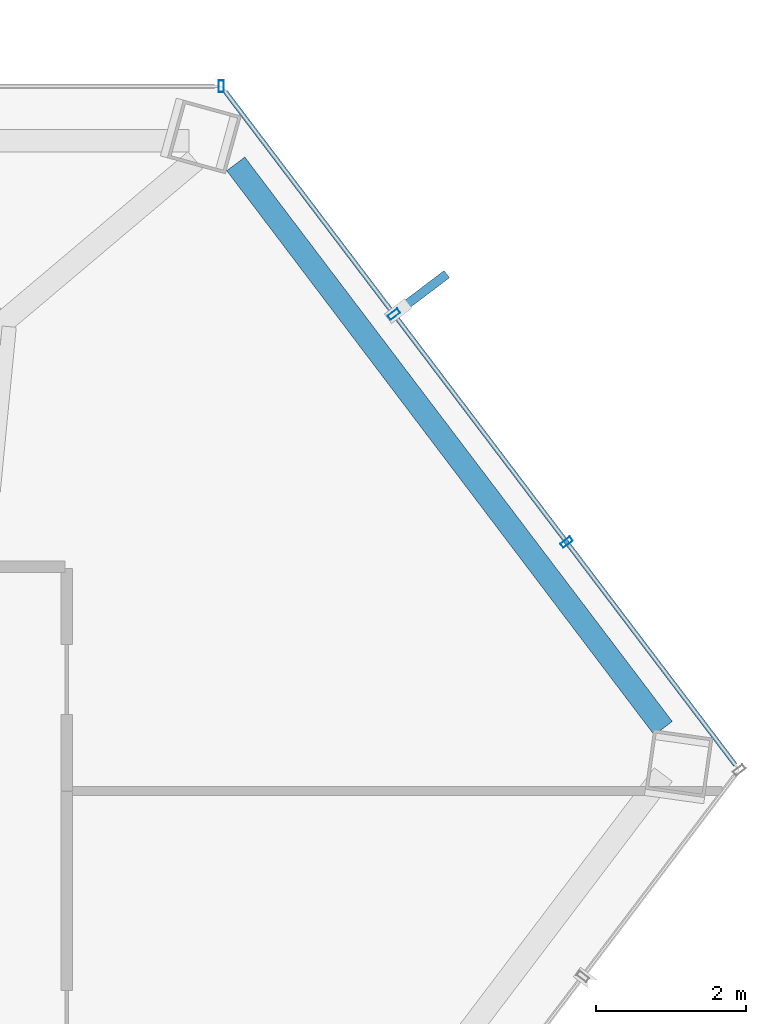
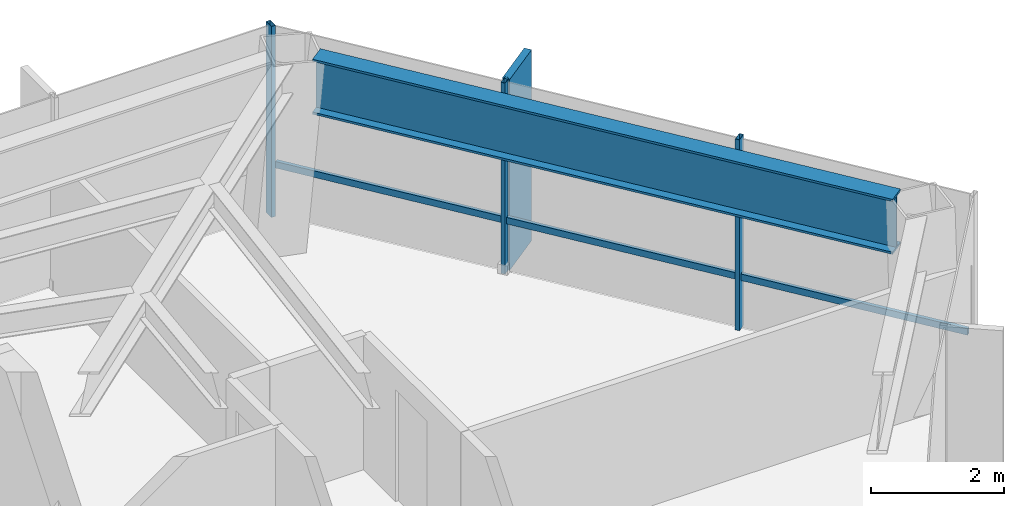
# One storey, part 25 of 30: 5 members, 1 beam, 2 elements without a shape of their own.
"""IFC4 building model written with IfcOpenShell, lengths in metres."""

from ifc_helpers import new_model, si_unit, direction, frame, origin, origin_2d, place, context, subcontext, project, spatial, rectangle, hollow_rectangle, i_section, extrude, material, layer, layer_set, material_profile, profile_set, type_object, element, aggregate, save


model = new_model("IFC4")

# Units and contexts
model_context = context("Model", 3, precision=1e-05, world=origin(), true_north=direction((0.0, 1.0)))
body_context = subcontext(model_context, "Body", "Model", "MODEL_VIEW")
ifc_project = project(units=[si_unit("LENGTHUNIT", "METRE"), si_unit("AREAUNIT", "SQUARE_METRE"), si_unit("VOLUMEUNIT", "CUBIC_METRE"), si_unit("PLANEANGLEUNIT", "RADIAN"), si_unit("MASSUNIT", "GRAM", prefix="KILO")], contexts=[model_context])

# Site, building, storey
site_placement = place(None, origin())
site = spatial("IfcSite", under=ifc_project, at=site_placement, CompositionType="ELEMENT")
building_placement = place(site_placement, origin())
building = spatial("IfcBuilding", under=site, at=building_placement, Name="Zarrinselat Tower", CompositionType="ELEMENT")
storey_placement = place(building_placement, frame((0.0, 0.0, 160.820068359375)))
storey = spatial("IfcBuildingStorey", under=building, at=storey_placement, Name="L39", CompositionType="ELEMENT", Elevation=160.820068359375)

# Beam
ifc_material_1 = material(Name="Steel S460M", Category="steel")
ifc_material_profile_1 = material_profile(ifc_material_1, i_section(OverallWidth=0.302001953125, OverallDepth=1.008056640625, WebThickness=0.02099609375, FlangeThickness=0.0400390625, at=origin_2d()), Name="HEM 1000")
ifc_profile_set_1 = profile_set([ifc_material_profile_1], Name="Steel S460M")
beam_type = type_object("IfcBeamType", Name="BM-HEM1000", PredefinedType="BEAM", material=ifc_profile_set_1)
beam_placement = place(storey_placement, frame((56.258056640625, 47.879638671875, 2.995849609375), z_axis=(0.603851722315, -0.797096667574, 0.0), x_axis=(0.797096667574, 0.603851722315, 0.0)))
element("IfcBeam", 1, at=beam_placement, inside=storey, type_object=beam_type, Name="L39 Perimeter Spandrel Girder SP15", PredefinedType="BEAM", context=body_context, shape_type="SweptSolid", body=[
    extrude(i_section(OverallWidth=0.302001953125, OverallDepth=1.008056640625, WebThickness=0.02099609375, FlangeThickness=0.0400390625, at=origin_2d()), origin(), (0.0, 0.0, 1.0), 9.455078125),
])

# Curtain wall, member
ifc_material_2 = material(Name="Extruded Aluminium Alloy EN AW-6063 T6", Category="aluminium")
ifc_layer = layer(ifc_material_2, 0.175048828125)
ifc_layer_set = layer_set([ifc_layer], Name="Extruded Aluminium Alloy EN AW-6063 T6")
curtain_wall_type = type_object("IfcCurtainWallType", Name="CWS-HTL", PredefinedType="NOTDEFINED", material=ifc_layer_set)
curtain_wall_1_placement = place(storey_placement, origin())
curtain_wall_1 = element("IfcCurtainWall", 2, at=curtain_wall_1_placement, inside=storey, type_object=curtain_wall_type, Name="L39 Unitised Curtain Wall CW-L39-E03", PredefinedType="NOTDEFINED")
ifc_material_3 = material(Name="Extruded Aluminium Alloy EN AW-6063 T6", Category="aluminium")
ifc_material_profile_2 = material_profile(ifc_material_3, hollow_rectangle(XDim=0.070068359375, YDim=0.159912109375, WallThickness=0.00390625, at=origin_2d()), Name="RHS 160x70x4")
ifc_profile_set_2 = profile_set([ifc_material_profile_2], Name="Extruded Aluminium Alloy EN AW-6063 T6")
member_type_1 = type_object("IfcMemberType", Name="MEM-CW-MUL2", PredefinedType="MULLION", material=ifc_profile_set_2)
member_1_placement = place(storey_placement, frame((56.065185546875, 48.916748046875, 0.0), z_axis=(0.0, 0.0, 1.0), x_axis=(1.0, 0.0, 0.0)))
member_1 = element("IfcMember", 3, at=member_1_placement, type_object=member_type_1, Name="CW-L39-E03 Mullion 10", PredefinedType="MULLION", context=body_context, shape_type="SweptSolid", body=[
    extrude(hollow_rectangle(XDim=0.070068359375, YDim=0.159912109375, WallThickness=0.00390625, at=origin_2d()), origin(), (0.0, 0.0, 1.0), 3.5),
])
aggregate(curtain_wall_1, [member_1])

# Curtain wall, members
curtain_wall_2_placement = place(storey_placement, origin())
curtain_wall_2 = element("IfcCurtainWall", 4, at=curtain_wall_2_placement, inside=storey, type_object=curtain_wall_type, Name="L39 Unitised Curtain Wall CW-L39-E04", PredefinedType="NOTDEFINED")
member_2_placement = place(storey_placement, frame((58.37109375, 45.873046875, 0.0), z_axis=(0.0, 0.0, 1.0), x_axis=(0.603856343425, -0.797093166766, 0.0)))
member_2 = element("IfcMember", 5, at=member_2_placement, type_object=member_type_1, Name="CW-L39-E04 Mullion 1", PredefinedType="MULLION", context=body_context, shape_type="SweptSolid", body=[
    extrude(hollow_rectangle(XDim=0.070068359375, YDim=0.159912109375, WallThickness=0.00390625, at=origin_2d()), origin(), (0.0, 0.0, 1.0), 3.5),
])
member_3_placement = place(storey_placement, frame((60.6767578125, 42.829345703125, 0.0), z_axis=(0.0, 0.0, 1.0), x_axis=(0.603856343425, -0.797093166766, 0.0)))
member_3 = element("IfcMember", 6, at=member_3_placement, type_object=member_type_1, Name="CW-L39-E04 Mullion 2", PredefinedType="MULLION", context=body_context, shape_type="SweptSolid", body=[
    extrude(hollow_rectangle(XDim=0.070068359375, YDim=0.159912109375, WallThickness=0.00390625, at=origin_2d()), origin(), (0.0, 0.0, 1.0), 3.5),
])
ifc_material_4 = material(Name="Extruded Aluminium Alloy EN AW-6063 T6", Category="aluminium")
ifc_material_profile_3 = material_profile(ifc_material_4, hollow_rectangle(XDim=0.06005859375, YDim=0.1201171875, WallThickness=0.00390625, at=origin_2d()), Name="RHS 120x60x4")
ifc_profile_set_3 = profile_set([ifc_material_profile_3], Name="Extruded Aluminium Alloy EN AW-6063 T6")
member_type_2 = type_object("IfcMemberType", Name="MEM-CW-TRN2", PredefinedType="USERDEFINED", material=ifc_profile_set_3)
member_4_placement = place(storey_placement, frame((56.119384765625, 48.844970703125, 0.949951171875), z_axis=(0.603862690513, -0.797088358344, 0.0), x_axis=(0.797088358344, 0.603862690513, 0.0)))
member_4 = element("IfcMember", 7, at=member_4_placement, type_object=member_type_2, Name="CW-L39-E04 Transom 1", ObjectType="TRANSOM", PredefinedType="USERDEFINED", context=body_context, shape_type="SweptSolid", body=[
    extrude(hollow_rectangle(XDim=0.06005859375, YDim=0.1201171875, WallThickness=0.00390625, at=origin_2d()), origin(), (0.0, 0.0, 1.0), 11.275390625),
])
ifc_material_5 = material(Name="Honed Cream Travertine Stone", Category="masonry")
ifc_material_profile_4 = material_profile(ifc_material_5, rectangle(XDim=0.1201171875, YDim=0.85009765625, at=origin_2d()), Name="FIN 850x120")
ifc_profile_set_4 = profile_set([ifc_material_profile_4], Name="Honed Cream Travertine Stone")
member_type_3 = type_object("IfcMemberType", Name="MEM-STONE-FIN", PredefinedType="USERDEFINED", material=ifc_profile_set_4)
member_5_placement = place(storey_placement, frame((58.73779296875, 46.15087890625, 0.0), z_axis=(0.0, 0.0, 1.0), x_axis=(0.603856343425, -0.797093166766, 0.0)))
member_5 = element("IfcMember", 8, at=member_5_placement, type_object=member_type_3, Name="L39 Stone Shading Fin CW-L39-E04-01", ObjectType="FIN", PredefinedType="USERDEFINED", context=body_context, shape_type="SweptSolid", body=[
    extrude(rectangle(XDim=0.1201171875, YDim=0.85009765625, at=origin_2d()), origin(), (0.0, 0.0, 1.0), 3.5),
])
aggregate(curtain_wall_2, [member_2, member_5, member_3, member_4])

save(model, "model.ifc")
